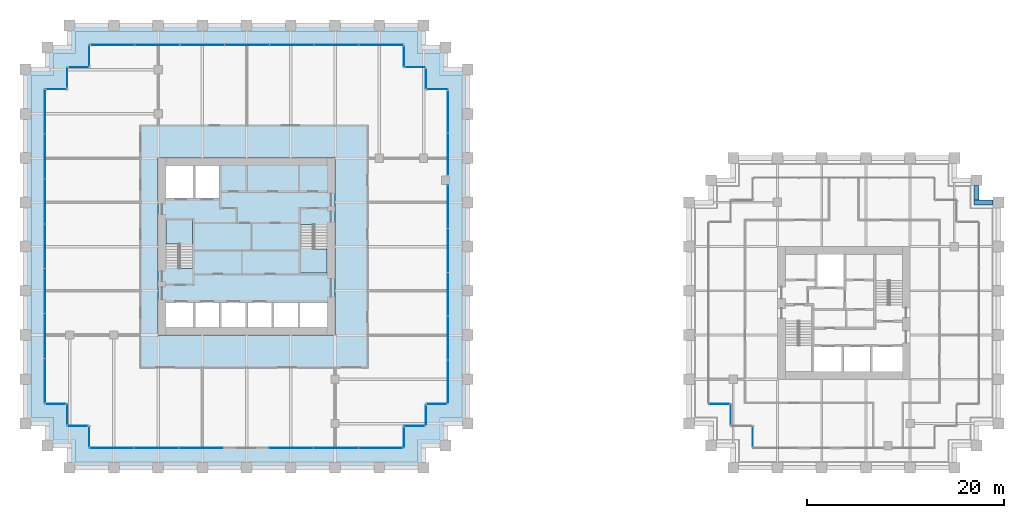
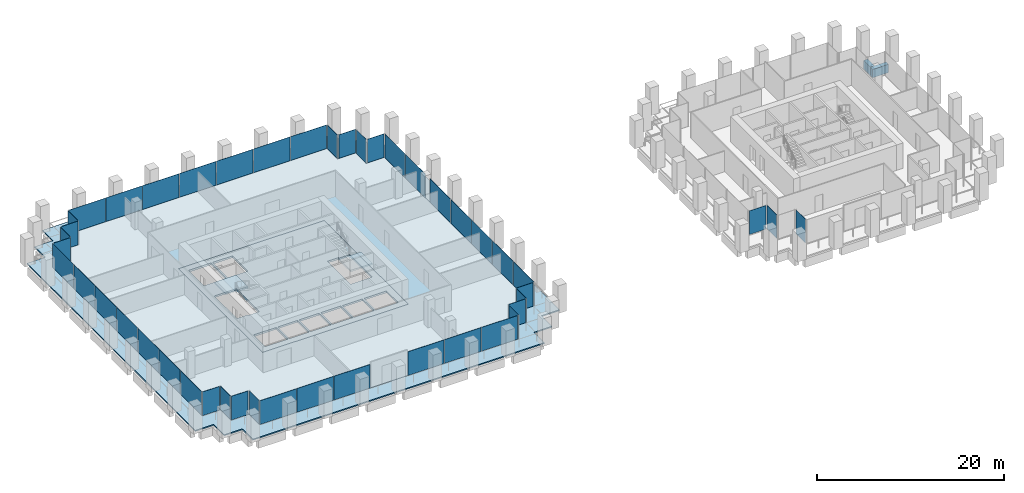
# One storey, part 48 of 56: 46 plates, 5 slabs, 2 beams, 27 elements without a shape of their own.
"""IFC4 building model written with IfcOpenShell, lengths in metres."""

from ifc_helpers import new_model, si_unit, direction, frame, origin, origin_2d, place, context, subcontext, project, spatial, polyline, rectangle, outline, extrude, material, layer, layer_set, material_profile, profile_set, type_object, element, aggregate, save


model = new_model("IFC4")

# Units and contexts
model_context = context("Model", 3, precision=1e-05, world=origin(), true_north=direction((0.0, 1.0)))
body_context = subcontext(model_context, "Body", "Model", "MODEL_VIEW")
ifc_project = project(units=[si_unit("LENGTHUNIT", "METRE"), si_unit("AREAUNIT", "SQUARE_METRE"), si_unit("VOLUMEUNIT", "CUBIC_METRE"), si_unit("PLANEANGLEUNIT", "RADIAN"), si_unit("MASSUNIT", "GRAM", prefix="KILO")], contexts=[model_context])

# Site, building, storey
site_placement = place(None, origin())
site = spatial("IfcSite", under=ifc_project, at=site_placement, CompositionType="ELEMENT")
building_placement = place(site_placement, origin())
building = spatial("IfcBuilding", under=site, at=building_placement, Name="Altepetl Exchange Towers", CompositionType="ELEMENT")
storey_placement = place(building_placement, frame((0.0, 0.0, 83.39990234375)))
storey = spatial("IfcBuildingStorey", under=building, at=storey_placement, Name="L20", CompositionType="ELEMENT", Elevation=83.39990234375)

# Beams
ifc_material_1 = material(Name="Concrete C50/60 precast with cantera amarilla facing", Category="concrete")
ifc_material_profile = material_profile(ifc_material_1, rectangle(XDim=0.5, YDim=1.10009765625, at=origin_2d()), Name="500 x 1100")
ifc_profile_set = profile_set([ifc_material_profile], Name="Concrete C50/60 precast with cantera amarilla facing")
beam_type = type_object("IfcBeamType", Name="Spandrel beam 500x1100 cantera amarilla", PredefinedType="SPANDREL", material=ifc_profile_set)
beam_1_placement = place(storey_placement, frame((125.449951171875, 54.0, -0.699951171875), z_axis=(-1.0, 0.0, 0.0), x_axis=(0.0, -1.0, 0.0)))
element("IfcBeam", 1, at=beam_1_placement, inside=storey, type_object=beam_type, Name="sp:B:L20:014", PredefinedType="SPANDREL", context=body_context, shape_type="SweptSolid", body=[
    extrude(rectangle(XDim=0.5, YDim=1.10009765625, at=origin_2d()), origin(), (0.0, 0.0, 1.0), 1.949951171875),
])
beam_2_placement = place(storey_placement, frame((123.75, 54.25, -0.699951171875), z_axis=(0.0, 1.0, 0.0), x_axis=(-1.0, 0.0, 0.0)))
element("IfcBeam", 2, at=beam_2_placement, inside=storey, type_object=beam_type, Name="sp:B:L20:015", PredefinedType="SPANDREL", context=body_context, shape_type="SweptSolid", body=[
    extrude(rectangle(XDim=0.5, YDim=1.10009765625, at=origin_2d()), origin(), (0.0, 0.0, 1.0), 1.449951171875),
])

# Slabs
ifc_material_2 = material(Name="Concrete C40/50", Category="concrete")
ifc_layer_1 = layer(ifc_material_2, 0.14990234375)
ifc_layer_set_1 = layer_set([ifc_layer_1], Name="Concrete C40/50")
slab_type_1 = type_object("IfcSlabType", Name="Composite floor slab 150", PredefinedType="FLOOR", material=ifc_layer_set_1)
slab_1_placement = place(storey_placement, frame((0.0, 0.0, -0.14990234375)))
element("IfcSlab", 3, at=slab_1_placement, inside=storey, type_object=slab_type_1, Name="slab:A:L20:strip0", PredefinedType="FLOOR", context=body_context, shape_type="SweptSolid", body=[
    extrude(outline(polyline([(31.25, 67.75), (31.25, 65.5), (29.0, 65.5), (29.0, 33.5), (31.25, 33.5), (31.25, 31.25), (33.5, 31.25), (33.5, 29.0), (65.5, 29.0), (65.5, 31.25), (67.75, 31.25), (67.75, 33.5), (70.0, 33.5), (70.0, 65.5), (67.75, 65.5), (67.75, 67.75), (65.5, 67.75), (65.5, 70.0), (33.5, 70.0), (33.5, 67.75), (31.25, 67.75)]), holes=[polyline([(58.5, 58.5), (58.5, 40.5), (40.5, 40.5), (40.5, 58.5), (58.5, 58.5)])]), origin(), (0.0, 0.0, 1.0), 0.14990234375),
])
ifc_layer_2 = layer(ifc_material_2, 0.25)
ifc_layer_set_2 = layer_set([ifc_layer_2], Name="Concrete C40/50")
slab_type_2 = type_object("IfcSlabType", Name="Core floor slab 250", PredefinedType="FLOOR", material=ifc_layer_set_2)
slab_2_placement = place(storey_placement, frame((0.0, 0.0, -0.25)))
element("IfcSlab", 4, at=slab_2_placement, inside=storey, type_object=slab_type_2, Name="slab:A:L20:core0", PredefinedType="FLOOR", context=body_context, shape_type="SweptSolid", body=[
    extrude(outline(polyline([(40.5, 40.5), (58.5, 40.5), (58.5, 58.5), (40.5, 58.5), (40.5, 40.5)]), holes=[polyline([(41.300048828125, 43.800048828125), (44.06689453125, 43.800048828125), (44.06689453125, 41.300048828125), (41.300048828125, 41.300048828125), (41.300048828125, 43.800048828125)]), polyline([(44.26708984375, 43.800048828125), (46.73291015625, 43.800048828125), (46.73291015625, 41.300048828125), (44.26708984375, 41.300048828125), (44.26708984375, 43.800048828125)]), polyline([(46.93310546875, 43.800048828125), (49.39990234375, 43.800048828125), (49.39990234375, 41.300048828125), (46.93310546875, 41.300048828125), (46.93310546875, 43.800048828125)]), polyline([(52.06689453125, 43.800048828125), (52.06689453125, 41.300048828125), (49.60009765625, 41.300048828125), (49.60009765625, 43.800048828125), (52.06689453125, 43.800048828125)]), polyline([(54.73291015625, 43.800048828125), (54.73291015625, 41.300048828125), (52.26708984375, 41.300048828125), (52.26708984375, 43.800048828125), (54.73291015625, 43.800048828125)]), polyline([(54.93310546875, 43.800048828125), (57.699951171875, 43.800048828125), (57.699951171875, 41.300048828125), (54.93310546875, 41.300048828125), (54.93310546875, 43.800048828125)]), polyline([(55.0, 51.7490234375), (56.39990234375, 51.7490234375), (56.39990234375, 51.64990234375), (57.699951171875, 51.64990234375), (57.699951171875, 46.800048828125), (55.0, 46.800048828125), (55.0, 51.7490234375)]), polyline([(44.0, 47.2509765625), (42.60009765625, 47.2509765625), (42.60009765625, 47.35009765625), (41.300048828125, 47.35009765625), (41.300048828125, 52.199951171875), (44.0, 52.199951171875), (44.0, 47.2509765625)]), polyline([(44.06689453125, 57.699951171875), (44.06689453125, 54.39990234375), (41.300048828125, 54.39990234375), (41.300048828125, 57.699951171875), (44.06689453125, 57.699951171875)]), polyline([(46.73291015625, 57.699951171875), (46.73291015625, 54.39990234375), (44.26708984375, 54.39990234375), (44.26708984375, 57.699951171875), (46.73291015625, 57.699951171875)])]), origin(), (0.0, 0.0, 1.0), 0.25),
])

# Curtain wall, plate
ifc_material_3 = material(Name="Aluminium 6063-T6 glazing", Category="aluminium")
curtain_wall_type = type_object("IfcCurtainWallType", Name="Loggia glazing system", PredefinedType="NOTDEFINED", material=ifc_material_3)
curtain_wall_1_placement = place(storey_placement, origin())
curtain_wall_1 = element("IfcCurtainWall", 5, at=curtain_wall_1_placement, inside=storey, type_object=curtain_wall_type, Name="CW1 run", PredefinedType="NOTDEFINED")
ifc_material_4 = material(Name="Glass 6-16-6 low emissivity", Category="glass")
ifc_layer_3 = layer(ifc_material_4, 0.028076171875)
ifc_layer_set_3 = layer_set([ifc_layer_3], Name="Glass 6-16-6 low emissivity")
plate_type = type_object("IfcPlateType", Name="Glass panel 28 double glazed", PredefinedType="CURTAIN_PANEL", material=ifc_layer_set_3)
plate_1_placement = place(storey_placement, frame((30.16259765625, 65.5, 0.0), z_axis=(0.0, 0.0, 1.0), x_axis=(-1.0, 0.0, 0.0)))
plate_1 = element("IfcPlate", 6, at=plate_1_placement, type_object=plate_type, Name="GP1 panel", PredefinedType="CURTAIN_PANEL", context=body_context, shape_type="SweptSolid", body=[
    extrude(rectangle(XDim=2.054931640625, YDim=0.028076171875, at=origin_2d()), origin(), (0.0, 0.0, 1.0), 3.10009765625),
])
aggregate(curtain_wall_1, [plate_1])

# Curtain wall, plates
curtain_wall_2_placement = place(storey_placement, origin())
curtain_wall_2 = element("IfcCurtainWall", 7, at=curtain_wall_2_placement, inside=storey, type_object=curtain_wall_type, Name="CW1 run", PredefinedType="NOTDEFINED")
plate_2_placement = place(storey_placement, frame((29.0, 63.20458984375, 0.0), z_axis=(0.0, 0.0, 1.0), x_axis=(0.0, -1.0, 0.0)))
plate_2 = element("IfcPlate", 8, at=plate_2_placement, type_object=plate_type, Name="GP1 panel", PredefinedType="CURTAIN_PANEL", context=body_context, shape_type="SweptSolid", body=[
    extrude(rectangle(XDim=4.470703125, YDim=0.028076171875, at=origin_2d()), origin(), (0.0, 0.0, 1.0), 3.10009765625),
])
plate_3_placement = place(storey_placement, frame((29.0, 58.658935546875, 0.0), z_axis=(0.0, 0.0, 1.0), x_axis=(0.0, -1.0, 0.0)))
plate_3 = element("IfcPlate", 9, at=plate_3_placement, type_object=plate_type, Name="GP1 panel", PredefinedType="CURTAIN_PANEL", context=body_context, shape_type="SweptSolid", body=[
    extrude(rectangle(XDim=4.500732421875, YDim=0.028076171875, at=origin_2d()), origin(), (0.0, 0.0, 1.0), 3.10009765625),
])
plate_4_placement = place(storey_placement, frame((29.0, 54.09814453125, 0.0), z_axis=(0.0, 0.0, 1.0), x_axis=(0.0, -1.0, 0.0)))
plate_4 = element("IfcPlate", 10, at=plate_4_placement, type_object=plate_type, Name="GP1 panel", PredefinedType="CURTAIN_PANEL", context=body_context, shape_type="SweptSolid", body=[
    extrude(rectangle(XDim=4.500732421875, YDim=0.028076171875, at=origin_2d()), origin(), (0.0, 0.0, 1.0), 3.10009765625),
])
plate_5_placement = place(storey_placement, frame((29.0, 49.53759765625, 0.0), z_axis=(0.0, 0.0, 1.0), x_axis=(0.0, -1.0, 0.0)))
plate_5 = element("IfcPlate", 11, at=plate_5_placement, type_object=plate_type, Name="GP1 panel", PredefinedType="CURTAIN_PANEL", context=body_context, shape_type="SweptSolid", body=[
    extrude(rectangle(XDim=4.500732421875, YDim=0.028076171875, at=origin_2d()), origin(), (0.0, 0.0, 1.0), 3.10009765625),
])
plate_6_placement = place(storey_placement, frame((29.0, 44.976806640625, 0.0), z_axis=(0.0, 0.0, 1.0), x_axis=(0.0, -1.0, 0.0)))
plate_6 = element("IfcPlate", 12, at=plate_6_placement, type_object=plate_type, Name="GP1 panel", PredefinedType="CURTAIN_PANEL", context=body_context, shape_type="SweptSolid", body=[
    extrude(rectangle(XDim=4.500732421875, YDim=0.028076171875, at=origin_2d()), origin(), (0.0, 0.0, 1.0), 3.10009765625),
])
plate_7_placement = place(storey_placement, frame((29.0, 40.416015625, 0.0), z_axis=(0.0, 0.0, 1.0), x_axis=(0.0, -1.0, 0.0)))
plate_7 = element("IfcPlate", 13, at=plate_7_placement, type_object=plate_type, Name="GP1 panel", PredefinedType="CURTAIN_PANEL", context=body_context, shape_type="SweptSolid", body=[
    extrude(rectangle(XDim=4.500732421875, YDim=0.028076171875, at=origin_2d()), origin(), (0.0, 0.0, 1.0), 3.10009765625),
])
plate_8_placement = place(storey_placement, frame((29.0, 35.870361328125, 0.0), z_axis=(0.0, 0.0, 1.0), x_axis=(0.0, -1.0, 0.0)))
plate_8 = element("IfcPlate", 14, at=plate_8_placement, type_object=plate_type, Name="GP1 panel", PredefinedType="CURTAIN_PANEL", context=body_context, shape_type="SweptSolid", body=[
    extrude(rectangle(XDim=4.470703125, YDim=0.028076171875, at=origin_2d()), origin(), (0.0, 0.0, 1.0), 3.10009765625),
])
aggregate(curtain_wall_2, [plate_2, plate_3, plate_4, plate_5, plate_6, plate_7, plate_8])

# Curtain wall, plate
curtain_wall_3_placement = place(storey_placement, origin())
curtain_wall_3 = element("IfcCurtainWall", 15, at=curtain_wall_3_placement, inside=storey, type_object=curtain_wall_type, Name="CW1 run", PredefinedType="NOTDEFINED")
plate_9_placement = place(storey_placement, frame((30.08740234375, 33.5, 0.0)))
plate_9 = element("IfcPlate", 16, at=plate_9_placement, type_object=plate_type, Name="GP1 panel", PredefinedType="CURTAIN_PANEL", context=body_context, shape_type="SweptSolid", body=[
    extrude(rectangle(XDim=2.054931640625, YDim=0.028076171875, at=origin_2d()), origin(), (0.0, 0.0, 1.0), 3.10009765625),
])
aggregate(curtain_wall_3, [plate_9])

curtain_wall_4_placement = place(storey_placement, origin())
curtain_wall_4 = element("IfcCurtainWall", 17, at=curtain_wall_4_placement, inside=storey, type_object=curtain_wall_type, Name="CW1 run", PredefinedType="NOTDEFINED")
plate_10_placement = place(storey_placement, frame((31.25, 32.41259765625, 0.0), z_axis=(0.0, 0.0, 1.0), x_axis=(0.0, -1.0, 0.0)))
plate_10 = element("IfcPlate", 18, at=plate_10_placement, type_object=plate_type, Name="GP1 panel", PredefinedType="CURTAIN_PANEL", context=body_context, shape_type="SweptSolid", body=[
    extrude(rectangle(XDim=2.054931640625, YDim=0.028076171875, at=origin_2d()), origin(), (0.0, 0.0, 1.0), 3.10009765625),
])
aggregate(curtain_wall_4, [plate_10])

curtain_wall_5_placement = place(storey_placement, origin())
curtain_wall_5 = element("IfcCurtainWall", 19, at=curtain_wall_5_placement, inside=storey, type_object=curtain_wall_type, Name="CW1 run", PredefinedType="NOTDEFINED")
plate_11_placement = place(storey_placement, frame((32.33740234375, 31.25, 0.0)))
plate_11 = element("IfcPlate", 20, at=plate_11_placement, type_object=plate_type, Name="GP1 panel", PredefinedType="CURTAIN_PANEL", context=body_context, shape_type="SweptSolid", body=[
    extrude(rectangle(XDim=2.054931640625, YDim=0.028076171875, at=origin_2d()), origin(), (0.0, 0.0, 1.0), 3.10009765625),
])
aggregate(curtain_wall_5, [plate_11])

curtain_wall_6_placement = place(storey_placement, origin())
curtain_wall_6 = element("IfcCurtainWall", 21, at=curtain_wall_6_placement, inside=storey, type_object=curtain_wall_type, Name="CW1 run", PredefinedType="NOTDEFINED")
plate_12_placement = place(storey_placement, frame((33.5, 30.16259765625, 0.0), z_axis=(0.0, 0.0, 1.0), x_axis=(0.0, -1.0, 0.0)))
plate_12 = element("IfcPlate", 22, at=plate_12_placement, type_object=plate_type, Name="GP1 panel", PredefinedType="CURTAIN_PANEL", context=body_context, shape_type="SweptSolid", body=[
    extrude(rectangle(XDim=2.054931640625, YDim=0.028076171875, at=origin_2d()), origin(), (0.0, 0.0, 1.0), 3.10009765625),
])
aggregate(curtain_wall_6, [plate_12])

# Curtain wall, plates
curtain_wall_7_placement = place(storey_placement, origin())
curtain_wall_7 = element("IfcCurtainWall", 23, at=curtain_wall_7_placement, inside=storey, type_object=curtain_wall_type, Name="CW1 run", PredefinedType="NOTDEFINED")
plate_13_placement = place(storey_placement, frame((35.79541015625, 29.0, 0.0)))
plate_13 = element("IfcPlate", 24, at=plate_13_placement, type_object=plate_type, Name="GP1 panel", PredefinedType="CURTAIN_PANEL", context=body_context, shape_type="SweptSolid", body=[
    extrude(rectangle(XDim=4.470703125, YDim=0.028076171875, at=origin_2d()), origin(), (0.0, 0.0, 1.0), 3.10009765625),
])
plate_14_placement = place(storey_placement, frame((40.341064453125, 29.0, 0.0)))
plate_14 = element("IfcPlate", 25, at=plate_14_placement, type_object=plate_type, Name="GP1 panel", PredefinedType="CURTAIN_PANEL", context=body_context, shape_type="SweptSolid", body=[
    extrude(rectangle(XDim=4.500732421875, YDim=0.028076171875, at=origin_2d()), origin(), (0.0, 0.0, 1.0), 3.10009765625),
])
plate_15_placement = place(storey_placement, frame((44.88671875, 29.0, 0.0)))
plate_15 = element("IfcPlate", 26, at=plate_15_placement, type_object=plate_type, Name="GP1 panel", PredefinedType="CURTAIN_PANEL", context=body_context, shape_type="SweptSolid", body=[
    extrude(rectangle(XDim=4.470703125, YDim=0.028076171875, at=origin_2d()), origin(), (0.0, 0.0, 1.0), 3.10009765625),
])
aggregate(curtain_wall_7, [plate_13, plate_14, plate_15])

curtain_wall_8_placement = place(storey_placement, origin())
curtain_wall_8 = element("IfcCurtainWall", 27, at=curtain_wall_8_placement, inside=storey, type_object=curtain_wall_type, Name="CW1 run", PredefinedType="NOTDEFINED")
plate_16_placement = place(storey_placement, frame((54.038330078125, 29.0, 0.0)))
plate_16 = element("IfcPlate", 28, at=plate_16_placement, type_object=plate_type, Name="GP1 panel", PredefinedType="CURTAIN_PANEL", context=body_context, shape_type="SweptSolid", body=[
    extrude(rectangle(XDim=4.470703125, YDim=0.028076171875, at=origin_2d()), origin(), (0.0, 0.0, 1.0), 3.10009765625),
])
plate_17_placement = place(storey_placement, frame((58.583984375, 29.0, 0.0)))
plate_17 = element("IfcPlate", 29, at=plate_17_placement, type_object=plate_type, Name="GP1 panel", PredefinedType="CURTAIN_PANEL", context=body_context, shape_type="SweptSolid", body=[
    extrude(rectangle(XDim=4.500732421875, YDim=0.028076171875, at=origin_2d()), origin(), (0.0, 0.0, 1.0), 3.10009765625),
])
plate_18_placement = place(storey_placement, frame((63.129638671875, 29.0, 0.0)))
plate_18 = element("IfcPlate", 30, at=plate_18_placement, type_object=plate_type, Name="GP1 panel", PredefinedType="CURTAIN_PANEL", context=body_context, shape_type="SweptSolid", body=[
    extrude(rectangle(XDim=4.470703125, YDim=0.028076171875, at=origin_2d()), origin(), (0.0, 0.0, 1.0), 3.10009765625),
])
aggregate(curtain_wall_8, [plate_16, plate_17, plate_18])

# Curtain wall, plate
curtain_wall_9_placement = place(storey_placement, origin())
curtain_wall_9 = element("IfcCurtainWall", 31, at=curtain_wall_9_placement, inside=storey, type_object=curtain_wall_type, Name="CW1 run", PredefinedType="NOTDEFINED")
plate_19_placement = place(storey_placement, frame((65.5, 30.08740234375, 0.0), z_axis=(0.0, 0.0, 1.0), x_axis=(0.0, 1.0, 0.0)))
plate_19 = element("IfcPlate", 32, at=plate_19_placement, type_object=plate_type, Name="GP1 panel", PredefinedType="CURTAIN_PANEL", context=body_context, shape_type="SweptSolid", body=[
    extrude(rectangle(XDim=2.054931640625, YDim=0.028076171875, at=origin_2d()), origin(), (0.0, 0.0, 1.0), 3.10009765625),
])
aggregate(curtain_wall_9, [plate_19])

curtain_wall_10_placement = place(storey_placement, origin())
curtain_wall_10 = element("IfcCurtainWall", 33, at=curtain_wall_10_placement, inside=storey, type_object=curtain_wall_type, Name="CW1 run", PredefinedType="NOTDEFINED")
plate_20_placement = place(storey_placement, frame((66.58740234375, 31.25, 0.0)))
plate_20 = element("IfcPlate", 34, at=plate_20_placement, type_object=plate_type, Name="GP1 panel", PredefinedType="CURTAIN_PANEL", context=body_context, shape_type="SweptSolid", body=[
    extrude(rectangle(XDim=2.054931640625, YDim=0.028076171875, at=origin_2d()), origin(), (0.0, 0.0, 1.0), 3.10009765625),
])
aggregate(curtain_wall_10, [plate_20])

curtain_wall_11_placement = place(storey_placement, origin())
curtain_wall_11 = element("IfcCurtainWall", 35, at=curtain_wall_11_placement, inside=storey, type_object=curtain_wall_type, Name="CW1 run", PredefinedType="NOTDEFINED")
plate_21_placement = place(storey_placement, frame((67.75, 32.33740234375, 0.0), z_axis=(0.0, 0.0, 1.0), x_axis=(0.0, 1.0, 0.0)))
plate_21 = element("IfcPlate", 36, at=plate_21_placement, type_object=plate_type, Name="GP1 panel", PredefinedType="CURTAIN_PANEL", context=body_context, shape_type="SweptSolid", body=[
    extrude(rectangle(XDim=2.054931640625, YDim=0.028076171875, at=origin_2d()), origin(), (0.0, 0.0, 1.0), 3.10009765625),
])
aggregate(curtain_wall_11, [plate_21])

curtain_wall_12_placement = place(storey_placement, origin())
curtain_wall_12 = element("IfcCurtainWall", 37, at=curtain_wall_12_placement, inside=storey, type_object=curtain_wall_type, Name="CW1 run", PredefinedType="NOTDEFINED")
plate_22_placement = place(storey_placement, frame((68.83740234375, 33.5, 0.0)))
plate_22 = element("IfcPlate", 38, at=plate_22_placement, type_object=plate_type, Name="GP1 panel", PredefinedType="CURTAIN_PANEL", context=body_context, shape_type="SweptSolid", body=[
    extrude(rectangle(XDim=2.054931640625, YDim=0.028076171875, at=origin_2d()), origin(), (0.0, 0.0, 1.0), 3.10009765625),
])
aggregate(curtain_wall_12, [plate_22])

# Curtain wall, plates
curtain_wall_13_placement = place(storey_placement, origin())
curtain_wall_13 = element("IfcCurtainWall", 39, at=curtain_wall_13_placement, inside=storey, type_object=curtain_wall_type, Name="CW1 run", PredefinedType="NOTDEFINED")
plate_23_placement = place(storey_placement, frame((70.0, 35.74560546875, 0.0), z_axis=(0.0, 0.0, 1.0), x_axis=(0.0, 1.0, 0.0)))
plate_23 = element("IfcPlate", 40, at=plate_23_placement, type_object=plate_type, Name="GP1 panel", PredefinedType="CURTAIN_PANEL", context=body_context, shape_type="SweptSolid", body=[
    extrude(rectangle(XDim=4.37109375, YDim=0.028076171875, at=origin_2d()), origin(), (0.0, 0.0, 1.0), 3.10009765625),
])
plate_24_placement = place(storey_placement, frame((70.0, 40.19140625, 0.0), z_axis=(0.0, 0.0, 1.0), x_axis=(0.0, 1.0, 0.0)))
plate_24 = element("IfcPlate", 41, at=plate_24_placement, type_object=plate_type, Name="GP1 panel", PredefinedType="CURTAIN_PANEL", context=body_context, shape_type="SweptSolid", body=[
    extrude(rectangle(XDim=4.40087890625, YDim=0.028076171875, at=origin_2d()), origin(), (0.0, 0.0, 1.0), 3.10009765625),
])
plate_25_placement = place(storey_placement, frame((70.0, 44.652587890625, 0.0), z_axis=(0.0, 0.0, 1.0), x_axis=(0.0, 1.0, 0.0)))
plate_25 = element("IfcPlate", 42, at=plate_25_placement, type_object=plate_type, Name="GP1 panel", PredefinedType="CURTAIN_PANEL", context=body_context, shape_type="SweptSolid", body=[
    extrude(rectangle(XDim=4.40087890625, YDim=0.028076171875, at=origin_2d()), origin(), (0.0, 0.0, 1.0), 3.10009765625),
])
plate_26_placement = place(storey_placement, frame((70.0, 49.113525390625, 0.0), z_axis=(0.0, 0.0, 1.0), x_axis=(0.0, 1.0, 0.0)))
plate_26 = element("IfcPlate", 43, at=plate_26_placement, type_object=plate_type, Name="GP1 panel", PredefinedType="CURTAIN_PANEL", context=body_context, shape_type="SweptSolid", body=[
    extrude(rectangle(XDim=4.40087890625, YDim=0.028076171875, at=origin_2d()), origin(), (0.0, 0.0, 1.0), 3.10009765625),
])
plate_27_placement = place(storey_placement, frame((70.0, 53.5595703125, 0.0), z_axis=(0.0, 0.0, 1.0), x_axis=(0.0, 1.0, 0.0)))
plate_27 = element("IfcPlate", 44, at=plate_27_placement, type_object=plate_type, Name="GP1 panel", PredefinedType="CURTAIN_PANEL", context=body_context, shape_type="SweptSolid", body=[
    extrude(rectangle(XDim=4.37109375, YDim=0.028076171875, at=origin_2d()), origin(), (0.0, 0.0, 1.0), 3.10009765625),
])
aggregate(curtain_wall_13, [plate_23, plate_24, plate_25, plate_26, plate_27])

curtain_wall_14_placement = place(storey_placement, origin())
curtain_wall_14 = element("IfcCurtainWall", 45, at=curtain_wall_14_placement, inside=storey, type_object=curtain_wall_type, Name="CW1 run", PredefinedType="NOTDEFINED")
plate_28_placement = place(storey_placement, frame((70.0, 58.892578125, 0.0), z_axis=(0.0, 0.0, 1.0), x_axis=(0.0, 1.0, 0.0)))
plate_28 = element("IfcPlate", 46, at=plate_28_placement, type_object=plate_type, Name="GP1 panel", PredefinedType="CURTAIN_PANEL", context=body_context, shape_type="SweptSolid", body=[
    extrude(rectangle(XDim=4.27490234375, YDim=0.028076171875, at=origin_2d()), origin(), (0.0, 0.0, 1.0), 3.10009765625),
])
plate_29_placement = place(storey_placement, frame((70.0, 63.2275390625, 0.0), z_axis=(0.0, 0.0, 1.0), x_axis=(0.0, 1.0, 0.0)))
plate_29 = element("IfcPlate", 47, at=plate_29_placement, type_object=plate_type, Name="GP1 panel", PredefinedType="CURTAIN_PANEL", context=body_context, shape_type="SweptSolid", body=[
    extrude(rectangle(XDim=4.27490234375, YDim=0.028076171875, at=origin_2d()), origin(), (0.0, 0.0, 1.0), 3.10009765625),
])
aggregate(curtain_wall_14, [plate_28, plate_29])

# Curtain wall, plate
curtain_wall_15_placement = place(storey_placement, origin())
curtain_wall_15 = element("IfcCurtainWall", 48, at=curtain_wall_15_placement, inside=storey, type_object=curtain_wall_type, Name="CW1 run", PredefinedType="NOTDEFINED")
plate_30_placement = place(storey_placement, frame((68.91259765625, 65.5, 0.0), z_axis=(0.0, 0.0, 1.0), x_axis=(-1.0, 0.0, 0.0)))
plate_30 = element("IfcPlate", 49, at=plate_30_placement, type_object=plate_type, Name="GP1 panel", PredefinedType="CURTAIN_PANEL", context=body_context, shape_type="SweptSolid", body=[
    extrude(rectangle(XDim=2.054931640625, YDim=0.028076171875, at=origin_2d()), origin(), (0.0, 0.0, 1.0), 3.10009765625),
])
aggregate(curtain_wall_15, [plate_30])

curtain_wall_16_placement = place(storey_placement, origin())
curtain_wall_16 = element("IfcCurtainWall", 50, at=curtain_wall_16_placement, inside=storey, type_object=curtain_wall_type, Name="CW1 run", PredefinedType="NOTDEFINED")
plate_31_placement = place(storey_placement, frame((67.75, 66.58740234375, 0.0), z_axis=(0.0, 0.0, 1.0), x_axis=(0.0, 1.0, 0.0)))
plate_31 = element("IfcPlate", 51, at=plate_31_placement, type_object=plate_type, Name="GP1 panel", PredefinedType="CURTAIN_PANEL", context=body_context, shape_type="SweptSolid", body=[
    extrude(rectangle(XDim=2.054931640625, YDim=0.028076171875, at=origin_2d()), origin(), (0.0, 0.0, 1.0), 3.10009765625),
])
aggregate(curtain_wall_16, [plate_31])

curtain_wall_17_placement = place(storey_placement, origin())
curtain_wall_17 = element("IfcCurtainWall", 52, at=curtain_wall_17_placement, inside=storey, type_object=curtain_wall_type, Name="CW1 run", PredefinedType="NOTDEFINED")
plate_32_placement = place(storey_placement, frame((66.66259765625, 67.75, 0.0), z_axis=(0.0, 0.0, 1.0), x_axis=(-1.0, 0.0, 0.0)))
plate_32 = element("IfcPlate", 53, at=plate_32_placement, type_object=plate_type, Name="GP1 panel", PredefinedType="CURTAIN_PANEL", context=body_context, shape_type="SweptSolid", body=[
    extrude(rectangle(XDim=2.054931640625, YDim=0.028076171875, at=origin_2d()), origin(), (0.0, 0.0, 1.0), 3.10009765625),
])
aggregate(curtain_wall_17, [plate_32])

curtain_wall_18_placement = place(storey_placement, origin())
curtain_wall_18 = element("IfcCurtainWall", 54, at=curtain_wall_18_placement, inside=storey, type_object=curtain_wall_type, Name="CW1 run", PredefinedType="NOTDEFINED")
plate_33_placement = place(storey_placement, frame((65.5, 68.83740234375, 0.0), z_axis=(0.0, 0.0, 1.0), x_axis=(0.0, 1.0, 0.0)))
plate_33 = element("IfcPlate", 55, at=plate_33_placement, type_object=plate_type, Name="GP1 panel", PredefinedType="CURTAIN_PANEL", context=body_context, shape_type="SweptSolid", body=[
    extrude(rectangle(XDim=2.054931640625, YDim=0.028076171875, at=origin_2d()), origin(), (0.0, 0.0, 1.0), 3.10009765625),
])
aggregate(curtain_wall_18, [plate_33])

# Curtain wall, plates
curtain_wall_19_placement = place(storey_placement, origin())
curtain_wall_19 = element("IfcCurtainWall", 56, at=curtain_wall_19_placement, inside=storey, type_object=curtain_wall_type, Name="CW1 run", PredefinedType="NOTDEFINED")
plate_34_placement = place(storey_placement, frame((63.20458984375, 70.0, 0.0), z_axis=(0.0, 0.0, 1.0), x_axis=(-1.0, 0.0, 0.0)))
plate_34 = element("IfcPlate", 57, at=plate_34_placement, type_object=plate_type, Name="GP1 panel", PredefinedType="CURTAIN_PANEL", context=body_context, shape_type="SweptSolid", body=[
    extrude(rectangle(XDim=4.470703125, YDim=0.028076171875, at=origin_2d()), origin(), (0.0, 0.0, 1.0), 3.10009765625),
])
plate_35_placement = place(storey_placement, frame((58.658935546875, 70.0, 0.0), z_axis=(0.0, 0.0, 1.0), x_axis=(-1.0, 0.0, 0.0)))
plate_35 = element("IfcPlate", 58, at=plate_35_placement, type_object=plate_type, Name="GP1 panel", PredefinedType="CURTAIN_PANEL", context=body_context, shape_type="SweptSolid", body=[
    extrude(rectangle(XDim=4.500732421875, YDim=0.028076171875, at=origin_2d()), origin(), (0.0, 0.0, 1.0), 3.10009765625),
])
plate_36_placement = place(storey_placement, frame((54.09814453125, 70.0, 0.0), z_axis=(0.0, 0.0, 1.0), x_axis=(-1.0, 0.0, 0.0)))
plate_36 = element("IfcPlate", 59, at=plate_36_placement, type_object=plate_type, Name="GP1 panel", PredefinedType="CURTAIN_PANEL", context=body_context, shape_type="SweptSolid", body=[
    extrude(rectangle(XDim=4.500732421875, YDim=0.028076171875, at=origin_2d()), origin(), (0.0, 0.0, 1.0), 3.10009765625),
])
plate_37_placement = place(storey_placement, frame((49.53759765625, 70.0, 0.0), z_axis=(0.0, 0.0, 1.0), x_axis=(-1.0, 0.0, 0.0)))
plate_37 = element("IfcPlate", 60, at=plate_37_placement, type_object=plate_type, Name="GP1 panel", PredefinedType="CURTAIN_PANEL", context=body_context, shape_type="SweptSolid", body=[
    extrude(rectangle(XDim=4.500732421875, YDim=0.028076171875, at=origin_2d()), origin(), (0.0, 0.0, 1.0), 3.10009765625),
])
plate_38_placement = place(storey_placement, frame((44.976806640625, 70.0, 0.0), z_axis=(0.0, 0.0, 1.0), x_axis=(-1.0, 0.0, 0.0)))
plate_38 = element("IfcPlate", 61, at=plate_38_placement, type_object=plate_type, Name="GP1 panel", PredefinedType="CURTAIN_PANEL", context=body_context, shape_type="SweptSolid", body=[
    extrude(rectangle(XDim=4.500732421875, YDim=0.028076171875, at=origin_2d()), origin(), (0.0, 0.0, 1.0), 3.10009765625),
])
plate_39_placement = place(storey_placement, frame((40.416015625, 70.0, 0.0), z_axis=(0.0, 0.0, 1.0), x_axis=(-1.0, 0.0, 0.0)))
plate_39 = element("IfcPlate", 62, at=plate_39_placement, type_object=plate_type, Name="GP1 panel", PredefinedType="CURTAIN_PANEL", context=body_context, shape_type="SweptSolid", body=[
    extrude(rectangle(XDim=4.500732421875, YDim=0.028076171875, at=origin_2d()), origin(), (0.0, 0.0, 1.0), 3.10009765625),
])
plate_40_placement = place(storey_placement, frame((35.870361328125, 70.0, 0.0), z_axis=(0.0, 0.0, 1.0), x_axis=(-1.0, 0.0, 0.0)))
plate_40 = element("IfcPlate", 63, at=plate_40_placement, type_object=plate_type, Name="GP1 panel", PredefinedType="CURTAIN_PANEL", context=body_context, shape_type="SweptSolid", body=[
    extrude(rectangle(XDim=4.470703125, YDim=0.028076171875, at=origin_2d()), origin(), (0.0, 0.0, 1.0), 3.10009765625),
])
aggregate(curtain_wall_19, [plate_34, plate_35, plate_36, plate_37, plate_38, plate_39, plate_40])

# Curtain wall, plate
curtain_wall_20_placement = place(storey_placement, origin())
curtain_wall_20 = element("IfcCurtainWall", 64, at=curtain_wall_20_placement, inside=storey, type_object=curtain_wall_type, Name="CW1 run", PredefinedType="NOTDEFINED")
plate_41_placement = place(storey_placement, frame((33.5, 68.91259765625, 0.0), z_axis=(0.0, 0.0, 1.0), x_axis=(0.0, -1.0, 0.0)))
plate_41 = element("IfcPlate", 65, at=plate_41_placement, type_object=plate_type, Name="GP1 panel", PredefinedType="CURTAIN_PANEL", context=body_context, shape_type="SweptSolid", body=[
    extrude(rectangle(XDim=2.054931640625, YDim=0.028076171875, at=origin_2d()), origin(), (0.0, 0.0, 1.0), 3.10009765625),
])
aggregate(curtain_wall_20, [plate_41])

curtain_wall_21_placement = place(storey_placement, origin())
curtain_wall_21 = element("IfcCurtainWall", 66, at=curtain_wall_21_placement, inside=storey, type_object=curtain_wall_type, Name="CW1 run", PredefinedType="NOTDEFINED")
plate_42_placement = place(storey_placement, frame((32.41259765625, 67.75, 0.0), z_axis=(0.0, 0.0, 1.0), x_axis=(-1.0, 0.0, 0.0)))
plate_42 = element("IfcPlate", 67, at=plate_42_placement, type_object=plate_type, Name="GP1 panel", PredefinedType="CURTAIN_PANEL", context=body_context, shape_type="SweptSolid", body=[
    extrude(rectangle(XDim=2.054931640625, YDim=0.028076171875, at=origin_2d()), origin(), (0.0, 0.0, 1.0), 3.10009765625),
])
aggregate(curtain_wall_21, [plate_42])

curtain_wall_22_placement = place(storey_placement, origin())
curtain_wall_22 = element("IfcCurtainWall", 68, at=curtain_wall_22_placement, inside=storey, type_object=curtain_wall_type, Name="CW1 run", PredefinedType="NOTDEFINED")
plate_43_placement = place(storey_placement, frame((31.25, 66.66259765625, 0.0), z_axis=(0.0, 0.0, 1.0), x_axis=(0.0, -1.0, 0.0)))
plate_43 = element("IfcPlate", 69, at=plate_43_placement, type_object=plate_type, Name="GP1 panel", PredefinedType="CURTAIN_PANEL", context=body_context, shape_type="SweptSolid", body=[
    extrude(rectangle(XDim=2.054931640625, YDim=0.028076171875, at=origin_2d()), origin(), (0.0, 0.0, 1.0), 3.10009765625),
])
aggregate(curtain_wall_22, [plate_43])

curtain_wall_23_placement = place(storey_placement, origin())
curtain_wall_23 = element("IfcCurtainWall", 70, at=curtain_wall_23_placement, inside=storey, type_object=curtain_wall_type, Name="CW1 run", PredefinedType="NOTDEFINED")
plate_44_placement = place(storey_placement, frame((97.58740234375, 33.5, 0.0)))
plate_44 = element("IfcPlate", 71, at=plate_44_placement, type_object=plate_type, Name="GP1 panel", PredefinedType="CURTAIN_PANEL", context=body_context, shape_type="SweptSolid", body=[
    extrude(rectangle(XDim=2.054931640625, YDim=0.028076171875, at=origin_2d()), origin(), (0.0, 0.0, 1.0), 3.10009765625),
])
aggregate(curtain_wall_23, [plate_44])

curtain_wall_24_placement = place(storey_placement, origin())
curtain_wall_24 = element("IfcCurtainWall", 72, at=curtain_wall_24_placement, inside=storey, type_object=curtain_wall_type, Name="CW1 run", PredefinedType="NOTDEFINED")
plate_45_placement = place(storey_placement, frame((98.75, 32.41259765625, 0.0), z_axis=(0.0, 0.0, 1.0), x_axis=(0.0, -1.0, 0.0)))
plate_45 = element("IfcPlate", 73, at=plate_45_placement, type_object=plate_type, Name="GP1 panel", PredefinedType="CURTAIN_PANEL", context=body_context, shape_type="SweptSolid", body=[
    extrude(rectangle(XDim=2.054931640625, YDim=0.028076171875, at=origin_2d()), origin(), (0.0, 0.0, 1.0), 3.10009765625),
])
aggregate(curtain_wall_24, [plate_45])

curtain_wall_25_placement = place(storey_placement, origin())
curtain_wall_25 = element("IfcCurtainWall", 74, at=curtain_wall_25_placement, inside=storey, type_object=curtain_wall_type, Name="CW1 run", PredefinedType="NOTDEFINED")
plate_46_placement = place(storey_placement, frame((101.0, 30.16259765625, 0.0), z_axis=(0.0, 0.0, 1.0), x_axis=(0.0, -1.0, 0.0)))
plate_46 = element("IfcPlate", 75, at=plate_46_placement, type_object=plate_type, Name="GP1 panel", PredefinedType="CURTAIN_PANEL", context=body_context, shape_type="SweptSolid", body=[
    extrude(rectangle(XDim=2.054931640625, YDim=0.028076171875, at=origin_2d()), origin(), (0.0, 0.0, 1.0), 3.10009765625),
])
aggregate(curtain_wall_25, [plate_46])

# Slab
ifc_layer_4 = layer(ifc_material_2, 0.14990234375)
ifc_layer_set_4 = layer_set([ifc_layer_4], Name="Concrete C40/50")
slab_type_3 = type_object("IfcSlabType", Name="Loggia slab 150", PredefinedType="FLOOR", material=ifc_layer_set_4)
slab_3_placement = place(storey_placement, frame((0.0, 0.0, -0.14990234375)))
element("IfcSlab", 76, at=slab_3_placement, inside=storey, type_object=slab_type_3, Name="slab:A:L20:loggia0", PredefinedType="FLOOR", context=body_context, shape_type="SweptSolid", body=[
    extrude(outline(polyline([(29.25, 67.5), (27.0, 67.5), (27.0, 40.5), (27.0, 31.5), (29.25, 31.5), (29.25, 29.25), (31.5, 29.25), (31.5, 27.0), (58.5, 27.0), (67.5, 27.0), (67.5, 29.25), (69.75, 29.25), (69.75, 31.5), (72.0, 31.5), (72.0, 58.5), (72.0, 67.5), (69.75, 67.5), (69.75, 69.75), (67.5, 69.75), (67.5, 72.0), (40.5, 72.0), (31.5, 72.0), (31.5, 69.75), (29.25, 69.75), (29.25, 67.5)]), holes=[polyline([(29.0, 65.5), (31.25, 65.5), (31.25, 67.75), (33.5, 67.75), (33.5, 70.0), (65.5, 70.0), (65.5, 67.75), (67.75, 67.75), (67.75, 65.5), (70.0, 65.5), (70.0, 33.5), (67.75, 33.5), (67.75, 31.25), (65.5, 31.25), (65.5, 29.0), (33.5, 29.0), (33.5, 31.25), (31.25, 31.25), (31.25, 33.5), (29.0, 33.5), (29.0, 65.5)])]), origin(), (0.0, 0.0, 1.0), 0.14990234375),
])

# Stair, slab
stair_type = type_object("IfcStairType", Name="Exit stair 1300 flights dogleg", PredefinedType="HALF_TURN_STAIR", material=ifc_material_2)
stair_1_placement = place(storey_placement, origin())
stair_1 = element("IfcStair", 77, at=stair_1_placement, inside=storey, type_object=stair_type, Name="Exit stair 1", PredefinedType="HALF_TURN_STAIR")
ifc_layer_5 = layer(ifc_material_2, 0.199951171875)
ifc_layer_set_5 = layer_set([ifc_layer_5], Name="Concrete C40/50")
slab_type_4 = type_object("IfcSlabType", Name="Stair landing 200 reinforced concrete", PredefinedType="LANDING", material=ifc_layer_set_5)
slab_4_placement = place(storey_placement, frame((0.0, 0.0, 1.60009765625)))
slab_4 = element("IfcSlab", 78, at=slab_4_placement, type_object=slab_type_4, Name="ST-A1c landing 1", PredefinedType="LANDING", context=body_context, shape_type="SweptSolid", body=[
    extrude(outline(polyline([(44.0, 49.669921875), (42.699951171875, 49.669921875), (42.699951171875, 49.77001953125), (42.60009765625, 49.77001953125), (42.60009765625, 49.769287109375), (41.300048828125, 49.769287109375), (41.300048828125, 49.77001953125), (41.300048828125, 52.199951171875), (44.0, 52.199951171875), (44.0, 49.77001953125), (44.0, 49.669921875)])), origin(), (0.0, 0.0, 1.0), 0.199951171875),
])
aggregate(stair_1, [slab_4])

stair_2_placement = place(storey_placement, origin())
stair_2 = element("IfcStair", 79, at=stair_2_placement, inside=storey, type_object=stair_type, Name="Exit stair 2", PredefinedType="HALF_TURN_STAIR")
slab_5_placement = place(storey_placement, frame((0.0, 0.0, 1.60009765625)))
slab_5 = element("IfcSlab", 80, at=slab_5_placement, type_object=slab_type_4, Name="ST-A2c landing 1", PredefinedType="LANDING", context=body_context, shape_type="SweptSolid", body=[
    extrude(outline(polyline([(57.699951171875, 46.800048828125), (55.0, 46.800048828125), (55.0, 49.22998046875), (55.0, 49.330078125), (56.300048828125, 49.330078125), (56.300048828125, 49.22998046875), (56.39990234375, 49.22998046875), (56.39990234375, 49.230712890625), (57.699951171875, 49.230712890625), (57.699951171875, 49.22998046875), (57.699951171875, 46.800048828125)])), origin(), (0.0, 0.0, 1.0), 0.199951171875),
])
aggregate(stair_2, [slab_5])

save(model, "model.ifc")
